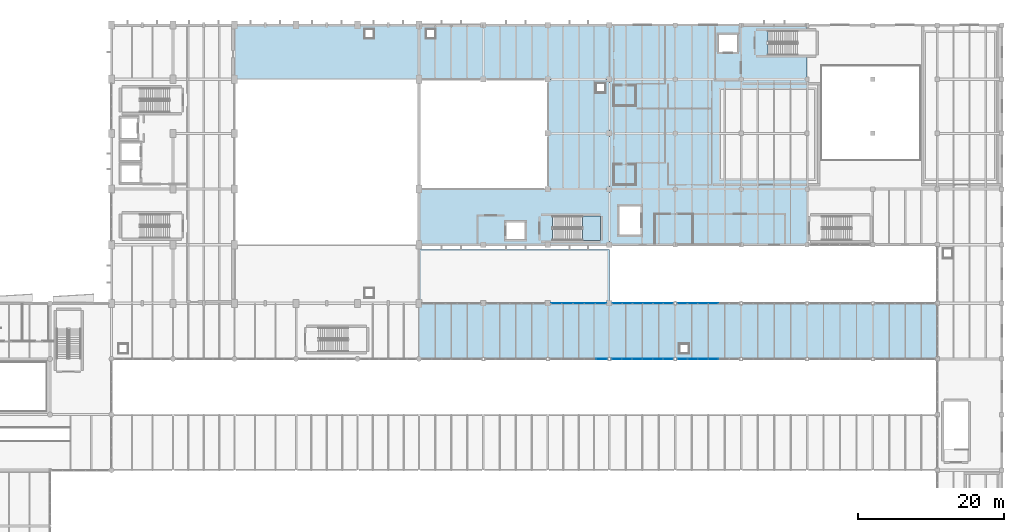
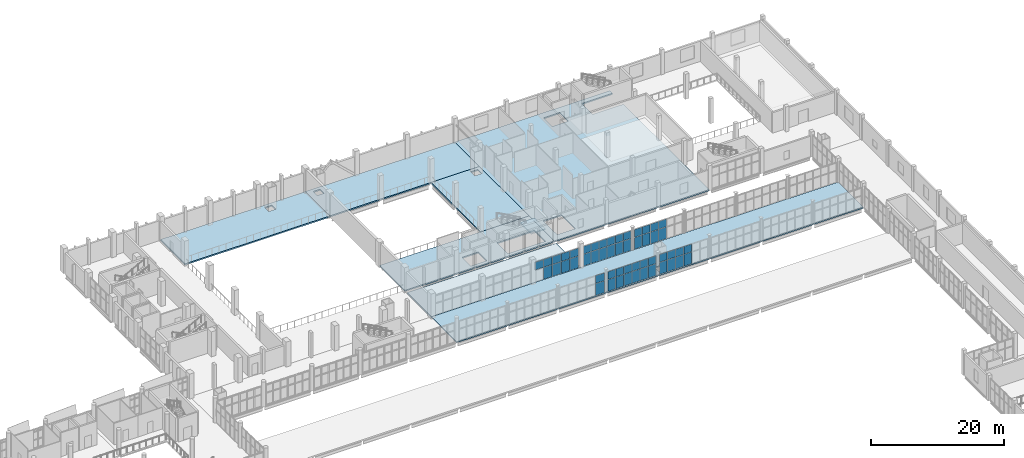
# One storey, part 104 of 136: 51 plates, 8 slabs, 7 elements without a shape of their own.
"""IFC4 building model written with IfcOpenShell, lengths in metres."""

from ifc_helpers import new_model, si_unit, direction, frame, origin, origin_2d, place, context, subcontext, project, spatial, polyline, rectangle, outline, extrude, material, layer, layer_set, type_object, element, aggregate, save


model = new_model("IFC4")

# Units and contexts
model_context = context("Model", 3, precision=1e-05, world=origin(), true_north=direction((0.0, 1.0)))
body_context = subcontext(model_context, "Body", "Model", "MODEL_VIEW")
ifc_project = project(units=[si_unit("LENGTHUNIT", "METRE"), si_unit("AREAUNIT", "SQUARE_METRE"), si_unit("VOLUMEUNIT", "CUBIC_METRE"), si_unit("PLANEANGLEUNIT", "RADIAN"), si_unit("MASSUNIT", "GRAM", prefix="KILO")], contexts=[model_context])

# Site, building, storey
site_placement = place(None, origin())
site = spatial("IfcSite", under=ifc_project, at=site_placement, CompositionType="ELEMENT")
building_placement = place(site_placement, origin())
building = spatial("IfcBuilding", under=site, at=building_placement, Name="Shengluoqiao Park Theatre", CompositionType="ELEMENT")
storey_placement = place(building_placement, frame((0.0, 0.0, 10.0)))
storey = spatial("IfcBuildingStorey", under=building, at=storey_placement, Name="L02", CompositionType="ELEMENT", Elevation=10.0)

# Curtain wall, plates
ifc_material_1 = material(Name="Aluminium 6063-T6", Category="aluminium")
curtain_wall_type = type_object("IfcCurtainWallType", Name="ENV-CW-BRIDGE", PredefinedType="NOTDEFINED", material=ifc_material_1)
curtain_wall_1_placement = place(storey_placement, origin())
curtain_wall_1 = element("IfcCurtainWall", 1, at=curtain_wall_1_placement, inside=storey, type_object=curtain_wall_type, Name="L02 Curtain Wall CWX-L02-0109", PredefinedType="NOTDEFINED")
ifc_material_2 = material(Name="Insulated glass", Category="glass")
ifc_layer_1 = layer(ifc_material_2, 0.0380859375, Name="Insulated glass")
ifc_layer_set_1 = layer_set([ifc_layer_1], Name="Insulated glass")
plate_type = type_object("IfcPlateType", Name="ENV-GLZ-GL-38", PredefinedType="CURTAIN_PANEL", material=ifc_layer_set_1)
plate_1_placement = place(storey_placement, frame((111.338623046875, 68.39990234375, 0.06005859375), z_axis=(0.0, 0.0, 1.0), x_axis=(1.0, 0.0, 0.0)))
plate_1 = element("IfcPlate", 2, at=plate_1_placement, type_object=plate_type, Name="CW-03 panel 5.1", PredefinedType="CURTAIN_PANEL", context=body_context, shape_type="SweptSolid", body=[
    extrude(rectangle(XDim=1.48681640625, YDim=0.0380859375, at=origin_2d()), origin(), (0.0, 0.0, 1.0), 2.160888671875),
])
plate_2_placement = place(storey_placement, frame((111.338623046875, 68.39990234375, 2.28125), z_axis=(0.0, 0.0, 1.0), x_axis=(1.0, 0.0, 0.0)))
plate_2 = element("IfcPlate", 3, at=plate_2_placement, type_object=plate_type, Name="CW-03 panel 5.2", PredefinedType="CURTAIN_PANEL", context=body_context, shape_type="SweptSolid", body=[
    extrude(rectangle(XDim=1.48681640625, YDim=0.0380859375, at=origin_2d()), origin(), (0.0, 0.0, 1.0), 1.410888671875),
])
aggregate(curtain_wall_1, [plate_1, plate_2])

curtain_wall_2_placement = place(storey_placement, origin())
curtain_wall_2 = element("IfcCurtainWall", 4, at=curtain_wall_2_placement, inside=storey, type_object=curtain_wall_type, Name="L02 Curtain Wall CWX-L02-0110", PredefinedType="NOTDEFINED")
plate_3_placement = place(storey_placement, frame((113.3798828125, 68.39990234375, 0.06005859375), z_axis=(0.0, 0.0, 1.0), x_axis=(1.0, 0.0, 0.0)))
plate_3 = element("IfcPlate", 5, at=plate_3_placement, type_object=plate_type, Name="CW-03 panel 1.1", PredefinedType="CURTAIN_PANEL", context=body_context, shape_type="SweptSolid", body=[
    extrude(rectangle(XDim=1.323974609375, YDim=0.0380859375, at=origin_2d()), origin(), (0.0, 0.0, 1.0), 2.160888671875),
])
plate_4_placement = place(storey_placement, frame((113.3798828125, 68.39990234375, 2.28125), z_axis=(0.0, 0.0, 1.0), x_axis=(1.0, 0.0, 0.0)))
plate_4 = element("IfcPlate", 6, at=plate_4_placement, type_object=plate_type, Name="CW-03 panel 1.2", PredefinedType="CURTAIN_PANEL", context=body_context, shape_type="SweptSolid", body=[
    extrude(rectangle(XDim=1.323974609375, YDim=0.0380859375, at=origin_2d()), origin(), (0.0, 0.0, 1.0), 1.410888671875),
])
plate_5_placement = place(storey_placement, frame((114.779052734375, 68.39990234375, 0.06005859375), z_axis=(0.0, 0.0, 1.0), x_axis=(1.0, 0.0, 0.0)))
plate_5 = element("IfcPlate", 7, at=plate_5_placement, type_object=plate_type, Name="CW-03 panel 2.1", PredefinedType="CURTAIN_PANEL", context=body_context, shape_type="SweptSolid", body=[
    extrude(rectangle(XDim=1.35400390625, YDim=0.0380859375, at=origin_2d()), origin(), (0.0, 0.0, 1.0), 2.160888671875),
])
plate_6_placement = place(storey_placement, frame((114.779052734375, 68.39990234375, 2.28125), z_axis=(0.0, 0.0, 1.0), x_axis=(1.0, 0.0, 0.0)))
plate_6 = element("IfcPlate", 8, at=plate_6_placement, type_object=plate_type, Name="CW-03 panel 2.2", PredefinedType="CURTAIN_PANEL", context=body_context, shape_type="SweptSolid", body=[
    extrude(rectangle(XDim=1.35400390625, YDim=0.0380859375, at=origin_2d()), origin(), (0.0, 0.0, 1.0), 1.410888671875),
])
plate_7_placement = place(storey_placement, frame((116.193115234375, 68.39990234375, 0.06005859375), z_axis=(0.0, 0.0, 1.0), x_axis=(1.0, 0.0, 0.0)))
plate_7 = element("IfcPlate", 9, at=plate_7_placement, type_object=plate_type, Name="CW-03 panel 3.1", PredefinedType="CURTAIN_PANEL", context=body_context, shape_type="SweptSolid", body=[
    extrude(rectangle(XDim=1.35400390625, YDim=0.0380859375, at=origin_2d()), origin(), (0.0, 0.0, 1.0), 2.160888671875),
])
plate_8_placement = place(storey_placement, frame((116.193115234375, 68.39990234375, 2.28125), z_axis=(0.0, 0.0, 1.0), x_axis=(1.0, 0.0, 0.0)))
plate_8 = element("IfcPlate", 10, at=plate_8_placement, type_object=plate_type, Name="CW-03 panel 3.2", PredefinedType="CURTAIN_PANEL", context=body_context, shape_type="SweptSolid", body=[
    extrude(rectangle(XDim=1.35400390625, YDim=0.0380859375, at=origin_2d()), origin(), (0.0, 0.0, 1.0), 1.410888671875),
])
plate_9_placement = place(storey_placement, frame((117.60693359375, 68.39990234375, 0.06005859375), z_axis=(0.0, 0.0, 1.0), x_axis=(1.0, 0.0, 0.0)))
plate_9 = element("IfcPlate", 11, at=plate_9_placement, type_object=plate_type, Name="CW-03 panel 4.1", PredefinedType="CURTAIN_PANEL", context=body_context, shape_type="SweptSolid", body=[
    extrude(rectangle(XDim=1.35400390625, YDim=0.0380859375, at=origin_2d()), origin(), (0.0, 0.0, 1.0), 2.160888671875),
])
plate_10_placement = place(storey_placement, frame((117.60693359375, 68.39990234375, 2.28125), z_axis=(0.0, 0.0, 1.0), x_axis=(1.0, 0.0, 0.0)))
plate_10 = element("IfcPlate", 12, at=plate_10_placement, type_object=plate_type, Name="CW-03 panel 4.2", PredefinedType="CURTAIN_PANEL", context=body_context, shape_type="SweptSolid", body=[
    extrude(rectangle(XDim=1.35400390625, YDim=0.0380859375, at=origin_2d()), origin(), (0.0, 0.0, 1.0), 1.410888671875),
])
plate_11_placement = place(storey_placement, frame((119.02099609375, 68.39990234375, 0.06005859375), z_axis=(0.0, 0.0, 1.0), x_axis=(1.0, 0.0, 0.0)))
plate_11 = element("IfcPlate", 13, at=plate_11_placement, type_object=plate_type, Name="CW-03 panel 5.1", PredefinedType="CURTAIN_PANEL", context=body_context, shape_type="SweptSolid", body=[
    extrude(rectangle(XDim=1.35400390625, YDim=0.0380859375, at=origin_2d()), origin(), (0.0, 0.0, 1.0), 2.160888671875),
])
plate_12_placement = place(storey_placement, frame((119.02099609375, 68.39990234375, 2.28125), z_axis=(0.0, 0.0, 1.0), x_axis=(1.0, 0.0, 0.0)))
plate_12 = element("IfcPlate", 14, at=plate_12_placement, type_object=plate_type, Name="CW-03 panel 5.2", PredefinedType="CURTAIN_PANEL", context=body_context, shape_type="SweptSolid", body=[
    extrude(rectangle(XDim=1.35400390625, YDim=0.0380859375, at=origin_2d()), origin(), (0.0, 0.0, 1.0), 1.410888671875),
])
plate_13_placement = place(storey_placement, frame((120.419921875, 68.39990234375, 0.06005859375), z_axis=(0.0, 0.0, 1.0), x_axis=(1.0, 0.0, 0.0)))
plate_13 = element("IfcPlate", 15, at=plate_13_placement, type_object=plate_type, Name="CW-03 panel 6.1", PredefinedType="CURTAIN_PANEL", context=body_context, shape_type="SweptSolid", body=[
    extrude(rectangle(XDim=1.323974609375, YDim=0.0380859375, at=origin_2d()), origin(), (0.0, 0.0, 1.0), 2.160888671875),
])
plate_14_placement = place(storey_placement, frame((120.419921875, 68.39990234375, 2.28125), z_axis=(0.0, 0.0, 1.0), x_axis=(1.0, 0.0, 0.0)))
plate_14 = element("IfcPlate", 16, at=plate_14_placement, type_object=plate_type, Name="CW-03 panel 6.2", PredefinedType="CURTAIN_PANEL", context=body_context, shape_type="SweptSolid", body=[
    extrude(rectangle(XDim=1.323974609375, YDim=0.0380859375, at=origin_2d()), origin(), (0.0, 0.0, 1.0), 1.410888671875),
])
aggregate(curtain_wall_2, [plate_3, plate_4, plate_5, plate_6, plate_7, plate_8, plate_9, plate_10, plate_11, plate_12, plate_13, plate_14])

curtain_wall_3_placement = place(storey_placement, origin())
curtain_wall_3 = element("IfcCurtainWall", 17, at=curtain_wall_3_placement, inside=storey, type_object=curtain_wall_type, Name="L02 Curtain Wall CWX-L02-0111", PredefinedType="NOTDEFINED")
plate_15_placement = place(storey_placement, frame((122.3798828125, 68.39990234375, 0.06005859375), z_axis=(0.0, 0.0, 1.0), x_axis=(1.0, 0.0, 0.0)))
plate_15 = element("IfcPlate", 18, at=plate_15_placement, type_object=plate_type, Name="CW-03 panel 1.1", PredefinedType="CURTAIN_PANEL", context=body_context, shape_type="SweptSolid", body=[
    extrude(rectangle(XDim=1.323974609375, YDim=0.0380859375, at=origin_2d()), origin(), (0.0, 0.0, 1.0), 2.160888671875),
])
plate_16_placement = place(storey_placement, frame((122.3798828125, 68.39990234375, 2.28125), z_axis=(0.0, 0.0, 1.0), x_axis=(1.0, 0.0, 0.0)))
plate_16 = element("IfcPlate", 19, at=plate_16_placement, type_object=plate_type, Name="CW-03 panel 1.2", PredefinedType="CURTAIN_PANEL", context=body_context, shape_type="SweptSolid", body=[
    extrude(rectangle(XDim=1.323974609375, YDim=0.0380859375, at=origin_2d()), origin(), (0.0, 0.0, 1.0), 1.410888671875),
])
plate_17_placement = place(storey_placement, frame((123.779052734375, 68.39990234375, 0.06005859375), z_axis=(0.0, 0.0, 1.0), x_axis=(1.0, 0.0, 0.0)))
plate_17 = element("IfcPlate", 20, at=plate_17_placement, type_object=plate_type, Name="CW-03 panel 2.1", PredefinedType="CURTAIN_PANEL", context=body_context, shape_type="SweptSolid", body=[
    extrude(rectangle(XDim=1.35400390625, YDim=0.0380859375, at=origin_2d()), origin(), (0.0, 0.0, 1.0), 2.160888671875),
])
plate_18_placement = place(storey_placement, frame((123.779052734375, 68.39990234375, 2.28125), z_axis=(0.0, 0.0, 1.0), x_axis=(1.0, 0.0, 0.0)))
plate_18 = element("IfcPlate", 21, at=plate_18_placement, type_object=plate_type, Name="CW-03 panel 2.2", PredefinedType="CURTAIN_PANEL", context=body_context, shape_type="SweptSolid", body=[
    extrude(rectangle(XDim=1.35400390625, YDim=0.0380859375, at=origin_2d()), origin(), (0.0, 0.0, 1.0), 1.410888671875),
])
plate_19_placement = place(storey_placement, frame((125.193115234375, 68.39990234375, 0.06005859375), z_axis=(0.0, 0.0, 1.0), x_axis=(1.0, 0.0, 0.0)))
plate_19 = element("IfcPlate", 22, at=plate_19_placement, type_object=plate_type, Name="CW-03 panel 3.1", PredefinedType="CURTAIN_PANEL", context=body_context, shape_type="SweptSolid", body=[
    extrude(rectangle(XDim=1.35400390625, YDim=0.0380859375, at=origin_2d()), origin(), (0.0, 0.0, 1.0), 2.160888671875),
])
plate_20_placement = place(storey_placement, frame((125.193115234375, 68.39990234375, 2.28125), z_axis=(0.0, 0.0, 1.0), x_axis=(1.0, 0.0, 0.0)))
plate_20 = element("IfcPlate", 23, at=plate_20_placement, type_object=plate_type, Name="CW-03 panel 3.2", PredefinedType="CURTAIN_PANEL", context=body_context, shape_type="SweptSolid", body=[
    extrude(rectangle(XDim=1.35400390625, YDim=0.0380859375, at=origin_2d()), origin(), (0.0, 0.0, 1.0), 1.410888671875),
])
plate_21_placement = place(storey_placement, frame((126.60693359375, 68.39990234375, 0.06005859375), z_axis=(0.0, 0.0, 1.0), x_axis=(1.0, 0.0, 0.0)))
plate_21 = element("IfcPlate", 24, at=plate_21_placement, type_object=plate_type, Name="CW-03 panel 4.1", PredefinedType="CURTAIN_PANEL", context=body_context, shape_type="SweptSolid", body=[
    extrude(rectangle(XDim=1.35400390625, YDim=0.0380859375, at=origin_2d()), origin(), (0.0, 0.0, 1.0), 2.160888671875),
])
plate_22_placement = place(storey_placement, frame((126.60693359375, 68.39990234375, 2.28125), z_axis=(0.0, 0.0, 1.0), x_axis=(1.0, 0.0, 0.0)))
plate_22 = element("IfcPlate", 25, at=plate_22_placement, type_object=plate_type, Name="CW-03 panel 4.2", PredefinedType="CURTAIN_PANEL", context=body_context, shape_type="SweptSolid", body=[
    extrude(rectangle(XDim=1.35400390625, YDim=0.0380859375, at=origin_2d()), origin(), (0.0, 0.0, 1.0), 1.410888671875),
])
aggregate(curtain_wall_3, [plate_15, plate_16, plate_17, plate_18, plate_19, plate_20, plate_21, plate_22])

curtain_wall_4_placement = place(storey_placement, origin())
curtain_wall_4 = element("IfcCurtainWall", 26, at=curtain_wall_4_placement, inside=storey, type_object=curtain_wall_type, Name="L02 Curtain Wall CWX-L02-0117", PredefinedType="NOTDEFINED")
plate_23_placement = place(storey_placement, frame((105.158203125, 76.0, 2.28125), z_axis=(0.0, 0.0, 1.0), x_axis=(1.0, 0.0, 0.0)))
plate_23 = element("IfcPlate", 27, at=plate_23_placement, type_object=plate_type, Name="CW-03 panel 1.2", PredefinedType="CURTAIN_PANEL", context=body_context, shape_type="SweptSolid", body=[
    extrude(rectangle(XDim=1.4384765625, YDim=0.0380859375, at=origin_2d()), origin(), (0.0, 0.0, 1.0), 1.410888671875),
])
plate_24_placement = place(storey_placement, frame((106.671630859375, 76.0, 0.06005859375), z_axis=(0.0, 0.0, 1.0), x_axis=(1.0, 0.0, 0.0)))
plate_24 = element("IfcPlate", 28, at=plate_24_placement, type_object=plate_type, Name="CW-03 panel 2.1", PredefinedType="CURTAIN_PANEL", context=body_context, shape_type="SweptSolid", body=[
    extrude(rectangle(XDim=1.468505859375, YDim=0.0380859375, at=origin_2d()), origin(), (0.0, 0.0, 1.0), 2.160888671875),
])
plate_25_placement = place(storey_placement, frame((106.671630859375, 76.0, 2.28125), z_axis=(0.0, 0.0, 1.0), x_axis=(1.0, 0.0, 0.0)))
plate_25 = element("IfcPlate", 29, at=plate_25_placement, type_object=plate_type, Name="CW-03 panel 2.2", PredefinedType="CURTAIN_PANEL", context=body_context, shape_type="SweptSolid", body=[
    extrude(rectangle(XDim=1.468505859375, YDim=0.0380859375, at=origin_2d()), origin(), (0.0, 0.0, 1.0), 1.410888671875),
])
plate_26_placement = place(storey_placement, frame((108.199951171875, 76.0, 0.06005859375), z_axis=(0.0, 0.0, 1.0), x_axis=(1.0, 0.0, 0.0)))
plate_26 = element("IfcPlate", 30, at=plate_26_placement, type_object=plate_type, Name="CW-03 panel 3.1", PredefinedType="CURTAIN_PANEL", context=body_context, shape_type="SweptSolid", body=[
    extrude(rectangle(XDim=1.468505859375, YDim=0.0380859375, at=origin_2d()), origin(), (0.0, 0.0, 1.0), 2.160888671875),
])
plate_27_placement = place(storey_placement, frame((108.199951171875, 76.0, 2.28125), z_axis=(0.0, 0.0, 1.0), x_axis=(1.0, 0.0, 0.0)))
plate_27 = element("IfcPlate", 31, at=plate_27_placement, type_object=plate_type, Name="CW-03 panel 3.2", PredefinedType="CURTAIN_PANEL", context=body_context, shape_type="SweptSolid", body=[
    extrude(rectangle(XDim=1.468505859375, YDim=0.0380859375, at=origin_2d()), origin(), (0.0, 0.0, 1.0), 1.410888671875),
])
plate_28_placement = place(storey_placement, frame((109.728515625, 76.0, 0.06005859375), z_axis=(0.0, 0.0, 1.0), x_axis=(1.0, 0.0, 0.0)))
plate_28 = element("IfcPlate", 32, at=plate_28_placement, type_object=plate_type, Name="CW-03 panel 4.1", PredefinedType="CURTAIN_PANEL", context=body_context, shape_type="SweptSolid", body=[
    extrude(rectangle(XDim=1.468505859375, YDim=0.0380859375, at=origin_2d()), origin(), (0.0, 0.0, 1.0), 2.160888671875),
])
plate_29_placement = place(storey_placement, frame((109.728515625, 76.0, 2.28125), z_axis=(0.0, 0.0, 1.0), x_axis=(1.0, 0.0, 0.0)))
plate_29 = element("IfcPlate", 33, at=plate_29_placement, type_object=plate_type, Name="CW-03 panel 4.2", PredefinedType="CURTAIN_PANEL", context=body_context, shape_type="SweptSolid", body=[
    extrude(rectangle(XDim=1.468505859375, YDim=0.0380859375, at=origin_2d()), origin(), (0.0, 0.0, 1.0), 1.410888671875),
])
plate_30_placement = place(storey_placement, frame((111.24169921875, 76.0, 0.06005859375), z_axis=(0.0, 0.0, 1.0), x_axis=(1.0, 0.0, 0.0)))
plate_30 = element("IfcPlate", 34, at=plate_30_placement, type_object=plate_type, Name="CW-03 panel 5.1", PredefinedType="CURTAIN_PANEL", context=body_context, shape_type="SweptSolid", body=[
    extrude(rectangle(XDim=1.4384765625, YDim=0.0380859375, at=origin_2d()), origin(), (0.0, 0.0, 1.0), 2.160888671875),
])
plate_31_placement = place(storey_placement, frame((111.24169921875, 76.0, 2.28125), z_axis=(0.0, 0.0, 1.0), x_axis=(1.0, 0.0, 0.0)))
plate_31 = element("IfcPlate", 35, at=plate_31_placement, type_object=plate_type, Name="CW-03 panel 5.2", PredefinedType="CURTAIN_PANEL", context=body_context, shape_type="SweptSolid", body=[
    extrude(rectangle(XDim=1.4384765625, YDim=0.0380859375, at=origin_2d()), origin(), (0.0, 0.0, 1.0), 1.410888671875),
])
aggregate(curtain_wall_4, [plate_23, plate_24, plate_25, plate_26, plate_27, plate_28, plate_29, plate_30, plate_31])

curtain_wall_5_placement = place(storey_placement, origin())
curtain_wall_5 = element("IfcCurtainWall", 36, at=curtain_wall_5_placement, inside=storey, type_object=curtain_wall_type, Name="L02 Curtain Wall CWX-L02-0118", PredefinedType="NOTDEFINED")
plate_32_placement = place(storey_placement, frame((113.490966796875, 76.0, 0.06005859375), z_axis=(0.0, 0.0, 1.0), x_axis=(1.0, 0.0, 0.0)))
plate_32 = element("IfcPlate", 37, at=plate_32_placement, type_object=plate_type, Name="CW-03 panel 1.1", PredefinedType="CURTAIN_PANEL", context=body_context, shape_type="SweptSolid", body=[
    extrude(rectangle(XDim=1.303955078125, YDim=0.0380859375, at=origin_2d()), origin(), (0.0, 0.0, 1.0), 2.160888671875),
])
plate_33_placement = place(storey_placement, frame((113.490966796875, 76.0, 2.28125), z_axis=(0.0, 0.0, 1.0), x_axis=(1.0, 0.0, 0.0)))
plate_33 = element("IfcPlate", 38, at=plate_33_placement, type_object=plate_type, Name="CW-03 panel 1.2", PredefinedType="CURTAIN_PANEL", context=body_context, shape_type="SweptSolid", body=[
    extrude(rectangle(XDim=1.303955078125, YDim=0.0380859375, at=origin_2d()), origin(), (0.0, 0.0, 1.0), 1.410888671875),
])
plate_34_placement = place(storey_placement, frame((114.86962890625, 76.0, 0.06005859375), z_axis=(0.0, 0.0, 1.0), x_axis=(1.0, 0.0, 0.0)))
plate_34 = element("IfcPlate", 39, at=plate_34_placement, type_object=plate_type, Name="CW-03 panel 2.1", PredefinedType="CURTAIN_PANEL", context=body_context, shape_type="SweptSolid", body=[
    extrude(rectangle(XDim=1.333740234375, YDim=0.0380859375, at=origin_2d()), origin(), (0.0, 0.0, 1.0), 2.160888671875),
])
plate_35_placement = place(storey_placement, frame((114.86962890625, 76.0, 2.28125), z_axis=(0.0, 0.0, 1.0), x_axis=(1.0, 0.0, 0.0)))
plate_35 = element("IfcPlate", 40, at=plate_35_placement, type_object=plate_type, Name="CW-03 panel 2.2", PredefinedType="CURTAIN_PANEL", context=body_context, shape_type="SweptSolid", body=[
    extrude(rectangle(XDim=1.333740234375, YDim=0.0380859375, at=origin_2d()), origin(), (0.0, 0.0, 1.0), 1.410888671875),
])
plate_36_placement = place(storey_placement, frame((116.263671875, 76.0, 0.06005859375), z_axis=(0.0, 0.0, 1.0), x_axis=(1.0, 0.0, 0.0)))
plate_36 = element("IfcPlate", 41, at=plate_36_placement, type_object=plate_type, Name="CW-03 panel 3.1", PredefinedType="CURTAIN_PANEL", context=body_context, shape_type="SweptSolid", body=[
    extrude(rectangle(XDim=1.333740234375, YDim=0.0380859375, at=origin_2d()), origin(), (0.0, 0.0, 1.0), 2.160888671875),
])
plate_37_placement = place(storey_placement, frame((116.263671875, 76.0, 2.28125), z_axis=(0.0, 0.0, 1.0), x_axis=(1.0, 0.0, 0.0)))
plate_37 = element("IfcPlate", 42, at=plate_37_placement, type_object=plate_type, Name="CW-03 panel 3.2", PredefinedType="CURTAIN_PANEL", context=body_context, shape_type="SweptSolid", body=[
    extrude(rectangle(XDim=1.333740234375, YDim=0.0380859375, at=origin_2d()), origin(), (0.0, 0.0, 1.0), 1.410888671875),
])
plate_38_placement = place(storey_placement, frame((117.657470703125, 76.0, 0.06005859375), z_axis=(0.0, 0.0, 1.0), x_axis=(1.0, 0.0, 0.0)))
plate_38 = element("IfcPlate", 43, at=plate_38_placement, type_object=plate_type, Name="CW-03 panel 4.1", PredefinedType="CURTAIN_PANEL", context=body_context, shape_type="SweptSolid", body=[
    extrude(rectangle(XDim=1.333740234375, YDim=0.0380859375, at=origin_2d()), origin(), (0.0, 0.0, 1.0), 2.160888671875),
])
plate_39_placement = place(storey_placement, frame((117.657470703125, 76.0, 2.28125), z_axis=(0.0, 0.0, 1.0), x_axis=(1.0, 0.0, 0.0)))
plate_39 = element("IfcPlate", 44, at=plate_39_placement, type_object=plate_type, Name="CW-03 panel 4.2", PredefinedType="CURTAIN_PANEL", context=body_context, shape_type="SweptSolid", body=[
    extrude(rectangle(XDim=1.333740234375, YDim=0.0380859375, at=origin_2d()), origin(), (0.0, 0.0, 1.0), 1.410888671875),
])
plate_40_placement = place(storey_placement, frame((119.05126953125, 76.0, 0.06005859375), z_axis=(0.0, 0.0, 1.0), x_axis=(1.0, 0.0, 0.0)))
plate_40 = element("IfcPlate", 45, at=plate_40_placement, type_object=plate_type, Name="CW-03 panel 5.1", PredefinedType="CURTAIN_PANEL", context=body_context, shape_type="SweptSolid", body=[
    extrude(rectangle(XDim=1.333740234375, YDim=0.0380859375, at=origin_2d()), origin(), (0.0, 0.0, 1.0), 2.160888671875),
])
plate_41_placement = place(storey_placement, frame((119.05126953125, 76.0, 2.28125), z_axis=(0.0, 0.0, 1.0), x_axis=(1.0, 0.0, 0.0)))
plate_41 = element("IfcPlate", 46, at=plate_41_placement, type_object=plate_type, Name="CW-03 panel 5.2", PredefinedType="CURTAIN_PANEL", context=body_context, shape_type="SweptSolid", body=[
    extrude(rectangle(XDim=1.333740234375, YDim=0.0380859375, at=origin_2d()), origin(), (0.0, 0.0, 1.0), 1.410888671875),
])
plate_42_placement = place(storey_placement, frame((120.43017578125, 76.0, 0.06005859375), z_axis=(0.0, 0.0, 1.0), x_axis=(1.0, 0.0, 0.0)))
plate_42 = element("IfcPlate", 47, at=plate_42_placement, type_object=plate_type, Name="CW-03 panel 6.1", PredefinedType="CURTAIN_PANEL", context=body_context, shape_type="SweptSolid", body=[
    extrude(rectangle(XDim=1.303955078125, YDim=0.0380859375, at=origin_2d()), origin(), (0.0, 0.0, 1.0), 2.160888671875),
])
plate_43_placement = place(storey_placement, frame((120.43017578125, 76.0, 2.28125), z_axis=(0.0, 0.0, 1.0), x_axis=(1.0, 0.0, 0.0)))
plate_43 = element("IfcPlate", 48, at=plate_43_placement, type_object=plate_type, Name="CW-03 panel 6.2", PredefinedType="CURTAIN_PANEL", context=body_context, shape_type="SweptSolid", body=[
    extrude(rectangle(XDim=1.303955078125, YDim=0.0380859375, at=origin_2d()), origin(), (0.0, 0.0, 1.0), 1.410888671875),
])
aggregate(curtain_wall_5, [plate_32, plate_33, plate_34, plate_35, plate_36, plate_37, plate_38, plate_39, plate_40, plate_41, plate_42, plate_43])

curtain_wall_6_placement = place(storey_placement, origin())
curtain_wall_6 = element("IfcCurtainWall", 49, at=curtain_wall_6_placement, inside=storey, type_object=curtain_wall_type, Name="L02 Curtain Wall CWX-L02-0119", PredefinedType="NOTDEFINED")
plate_44_placement = place(storey_placement, frame((122.3798828125, 76.0, 0.06005859375), z_axis=(0.0, 0.0, 1.0), x_axis=(1.0, 0.0, 0.0)))
plate_44 = element("IfcPlate", 50, at=plate_44_placement, type_object=plate_type, Name="CW-03 panel 1.1", PredefinedType="CURTAIN_PANEL", context=body_context, shape_type="SweptSolid", body=[
    extrude(rectangle(XDim=1.323974609375, YDim=0.0380859375, at=origin_2d()), origin(), (0.0, 0.0, 1.0), 2.160888671875),
])
plate_45_placement = place(storey_placement, frame((122.3798828125, 76.0, 2.28125), z_axis=(0.0, 0.0, 1.0), x_axis=(1.0, 0.0, 0.0)))
plate_45 = element("IfcPlate", 51, at=plate_45_placement, type_object=plate_type, Name="CW-03 panel 1.2", PredefinedType="CURTAIN_PANEL", context=body_context, shape_type="SweptSolid", body=[
    extrude(rectangle(XDim=1.323974609375, YDim=0.0380859375, at=origin_2d()), origin(), (0.0, 0.0, 1.0), 1.410888671875),
])
plate_46_placement = place(storey_placement, frame((123.779052734375, 76.0, 0.06005859375), z_axis=(0.0, 0.0, 1.0), x_axis=(1.0, 0.0, 0.0)))
plate_46 = element("IfcPlate", 52, at=plate_46_placement, type_object=plate_type, Name="CW-03 panel 2.1", PredefinedType="CURTAIN_PANEL", context=body_context, shape_type="SweptSolid", body=[
    extrude(rectangle(XDim=1.35400390625, YDim=0.0380859375, at=origin_2d()), origin(), (0.0, 0.0, 1.0), 2.160888671875),
])
plate_47_placement = place(storey_placement, frame((123.779052734375, 76.0, 2.28125), z_axis=(0.0, 0.0, 1.0), x_axis=(1.0, 0.0, 0.0)))
plate_47 = element("IfcPlate", 53, at=plate_47_placement, type_object=plate_type, Name="CW-03 panel 2.2", PredefinedType="CURTAIN_PANEL", context=body_context, shape_type="SweptSolid", body=[
    extrude(rectangle(XDim=1.35400390625, YDim=0.0380859375, at=origin_2d()), origin(), (0.0, 0.0, 1.0), 1.410888671875),
])
plate_48_placement = place(storey_placement, frame((125.193115234375, 76.0, 0.06005859375), z_axis=(0.0, 0.0, 1.0), x_axis=(1.0, 0.0, 0.0)))
plate_48 = element("IfcPlate", 54, at=plate_48_placement, type_object=plate_type, Name="CW-03 panel 3.1", PredefinedType="CURTAIN_PANEL", context=body_context, shape_type="SweptSolid", body=[
    extrude(rectangle(XDim=1.35400390625, YDim=0.0380859375, at=origin_2d()), origin(), (0.0, 0.0, 1.0), 2.160888671875),
])
plate_49_placement = place(storey_placement, frame((125.193115234375, 76.0, 2.28125), z_axis=(0.0, 0.0, 1.0), x_axis=(1.0, 0.0, 0.0)))
plate_49 = element("IfcPlate", 55, at=plate_49_placement, type_object=plate_type, Name="CW-03 panel 3.2", PredefinedType="CURTAIN_PANEL", context=body_context, shape_type="SweptSolid", body=[
    extrude(rectangle(XDim=1.35400390625, YDim=0.0380859375, at=origin_2d()), origin(), (0.0, 0.0, 1.0), 1.410888671875),
])
plate_50_placement = place(storey_placement, frame((126.60693359375, 76.0, 0.06005859375), z_axis=(0.0, 0.0, 1.0), x_axis=(1.0, 0.0, 0.0)))
plate_50 = element("IfcPlate", 56, at=plate_50_placement, type_object=plate_type, Name="CW-03 panel 4.1", PredefinedType="CURTAIN_PANEL", context=body_context, shape_type="SweptSolid", body=[
    extrude(rectangle(XDim=1.35400390625, YDim=0.0380859375, at=origin_2d()), origin(), (0.0, 0.0, 1.0), 2.160888671875),
])
plate_51_placement = place(storey_placement, frame((126.60693359375, 76.0, 2.28125), z_axis=(0.0, 0.0, 1.0), x_axis=(1.0, 0.0, 0.0)))
plate_51 = element("IfcPlate", 57, at=plate_51_placement, type_object=plate_type, Name="CW-03 panel 4.2", PredefinedType="CURTAIN_PANEL", context=body_context, shape_type="SweptSolid", body=[
    extrude(rectangle(XDim=1.35400390625, YDim=0.0380859375, at=origin_2d()), origin(), (0.0, 0.0, 1.0), 1.410888671875),
])
aggregate(curtain_wall_6, [plate_44, plate_45, plate_46, plate_47, plate_48, plate_49, plate_50, plate_51])

# Stair, slab
ifc_material_3 = material(Name="Concrete C40", Category="concrete")
stair_type = type_object("IfcStairType", Name="INT-STR-CORE", PredefinedType="HALF_TURN_STAIR", material=ifc_material_3)
stair_placement = place(storey_placement, origin())
stair = element("IfcStair", 58, at=stair_placement, inside=storey, type_object=stair_type, Name="L02 Stage and Fly Tower Escape Stair 05", PredefinedType="HALF_TURN_STAIR")
ifc_layer_2 = layer(ifc_material_3, 0.199951171875, Name="Concrete C40")
ifc_layer_set_2 = layer_set([ifc_layer_2], Name="Concrete C40")
slab_type_1 = type_object("IfcSlabType", Name="INT-LND-SL-200", PredefinedType="LANDING", material=ifc_layer_set_2)
slab_1_placement = place(storey_placement, frame((0.0, 0.0, 2.10009765625)))
slab_1 = element("IfcSlab", 59, at=slab_1_placement, type_object=slab_type_1, Name="ST-05 landing 1", PredefinedType="LANDING", context=body_context, shape_type="SweptSolid", body=[
    extrude(outline(polyline([(108.7099609375, 84.60009765625), (111.199951171875, 84.60009765625), (111.199951171875, 87.89990234375), (108.7099609375, 87.89990234375), (108.7099609375, 84.60009765625)])), origin(), (0.0, 0.0, 1.0), 0.199951171875),
])
aggregate(stair, [slab_1])

# Slabs
ifc_material_4 = material(Name="Concrete C35", Category="concrete")
ifc_layer_3 = layer(ifc_material_4, 0.2099609375, Name="Concrete C35")
ifc_layer_set_3 = layer_set([ifc_layer_3], Name="Concrete C35")
slab_type_2 = type_object("IfcSlabType", Name="STR-SLB-BRG210", PredefinedType="FLOOR", material=ifc_layer_set_3)
slab_2_placement = place(storey_placement, frame((0.0, 0.0, -0.2099609375)))
element("IfcSlab", 60, at=slab_2_placement, inside=storey, type_object=slab_type_2, Name="Park-Court Link Bridge Slab", PredefinedType="FLOOR", context=body_context, shape_type="SweptSolid", body=[
    extrude(outline(polyline([(86.39990234375, 68.39990234375), (86.39990234375, 76.0), (157.199951171875, 76.0), (157.199951171875, 68.39990234375), (86.39990234375, 68.39990234375)]), holes=[polyline([(123.219970703125, 69.199951171875), (123.219970703125, 70.419921875), (122.0, 70.419921875), (122.0, 69.199951171875), (123.219970703125, 69.199951171875)])]), origin(), (0.0, 0.0, 1.0), 0.2099609375),
])
ifc_layer_4 = layer(ifc_material_4, 0.25, Name="Concrete C35")
ifc_layer_set_4 = layer_set([ifc_layer_4], Name="Concrete C35")
slab_type_3 = type_object("IfcSlabType", Name="STR-SLB-CAT250", PredefinedType="FLOOR", material=ifc_layer_set_4)
slab_3_placement = place(storey_placement, frame((0.0, 0.0, -0.25)))
element("IfcSlab", 61, at=slab_3_placement, inside=storey, type_object=slab_type_3, Name="Floor Slab L02-V1-BOXN", PredefinedType="FLOOR", context=body_context, shape_type="SweptSolid", body=[
    extrude(outline(polyline([(61.199951171875, 106.60009765625), (61.199951171875, 114.0), (86.39990234375, 114.0), (86.39990234375, 106.60009765625), (61.199951171875, 106.60009765625)]), holes=[polyline([(79.0, 112.199951171875), (80.219970703125, 112.199951171875), (80.219970703125, 113.419921875), (79.0, 113.419921875), (79.0, 112.199951171875)])]), origin(), (0.0, 0.0, 1.0), 0.25),
])
ifc_layer_5 = layer(ifc_material_4, 0.239990234375, Name="Concrete C35")
ifc_layer_set_5 = layer_set([ifc_layer_5], Name="Concrete C35")
slab_type_4 = type_object("IfcSlabType", Name="STR-SLB-FL240", PredefinedType="FLOOR", material=ifc_layer_set_5)
slab_4_placement = place(storey_placement, frame((0.0, 0.0, -0.239990234375)))
element("IfcSlab", 62, at=slab_4_placement, inside=storey, type_object=slab_type_4, Name="Floor Slab L02-V2-FLYS", PredefinedType="FLOOR", context=body_context, shape_type="SweptSolid", body=[
    extrude(outline(polyline([(86.39990234375, 84.0), (86.39990234375, 91.60009765625), (112.39990234375, 91.60009765625), (112.39990234375, 84.0), (86.39990234375, 84.0)]), holes=[polyline([(98.199951171875, 84.60009765625), (101.0, 84.60009765625), (101.0, 87.199951171875), (98.199951171875, 87.199951171875), (98.199951171875, 84.60009765625)]), polyline([(104.654052734375, 84.60009765625), (111.199951171875, 84.60009765625), (111.199951171875, 87.89990234375), (104.654052734375, 87.89990234375), (104.654052734375, 84.60009765625)])]), origin(), (0.0, 0.0, 1.0), 0.239990234375),
])
slab_5_placement = place(storey_placement, frame((0.0, 0.0, -0.239990234375)))
element("IfcSlab", 63, at=slab_5_placement, inside=storey, type_object=slab_type_4, Name="Floor Slab L02-V2-FLYN", PredefinedType="FLOOR", context=body_context, shape_type="SweptSolid", body=[
    extrude(outline(polyline([(86.39990234375, 106.60009765625), (86.39990234375, 114.0), (112.39990234375, 114.0), (112.39990234375, 106.60009765625), (86.39990234375, 106.60009765625)]), holes=[polyline([(87.39990234375, 112.199951171875), (88.6201171875, 112.199951171875), (88.6201171875, 113.419921875), (87.39990234375, 113.419921875), (87.39990234375, 112.199951171875)])]), origin(), (0.0, 0.0, 1.0), 0.239990234375),
])
slab_6_placement = place(storey_placement, frame((0.0, 0.0, -0.239990234375)))
element("IfcSlab", 64, at=slab_6_placement, inside=storey, type_object=slab_type_4, Name="Floor Slab L02-V2-FLYE", PredefinedType="FLOOR", context=body_context, shape_type="SweptSolid", body=[
    extrude(outline(polyline([(104.0, 91.60009765625), (104.0, 106.60009765625), (112.39990234375, 106.60009765625), (112.39990234375, 91.60009765625), (104.0, 91.60009765625)]), holes=[polyline([(111.820068359375, 104.800048828125), (111.820068359375, 106.02001953125), (110.60009765625, 106.02001953125), (110.60009765625, 104.800048828125), (111.820068359375, 104.800048828125)])]), origin(), (0.0, 0.0, 1.0), 0.239990234375),
])
slab_7_placement = place(storey_placement, frame((0.0, 0.0, -0.239990234375)))
element("IfcSlab", 65, at=slab_7_placement, inside=storey, type_object=slab_type_4, Name="Floor Slab L02-V6-NE1", PredefinedType="FLOOR", context=body_context, shape_type="SweptSolid", body=[
    extrude(outline(polyline([(139.39990234375, 84.0), (112.39990234375, 84.0), (112.39990234375, 114.0), (139.39990234375, 114.0), (139.39990234375, 113.199951171875), (134.053955078125, 113.199951171875), (134.053955078125, 109.89990234375), (139.39990234375, 109.89990234375), (139.39990234375, 84.0)]), holes=[polyline([(116.800048828125, 85.199951171875), (116.800048828125, 89.39990234375), (113.60009765625, 89.39990234375), (113.60009765625, 85.199951171875), (116.800048828125, 85.199951171875)]), polyline([(130.0, 110.199951171875), (130.0, 112.800048828125), (127.199951171875, 112.800048828125), (127.199951171875, 110.199951171875), (130.0, 110.199951171875)])]), origin(), (0.0, 0.0, 1.0), 0.239990234375),
])
ifc_layer_6 = layer(ifc_material_3, 0.25, Name="Concrete C40")
ifc_layer_set_6 = layer_set([ifc_layer_6], Name="Concrete C40")
slab_type_5 = type_object("IfcSlabType", Name="STR-SLB-RF250", PredefinedType="ROOF", material=ifc_layer_set_6)
slab_8_placement = place(storey_placement, frame((0.0, 0.0, -0.25)))
element("IfcSlab", 66, at=slab_8_placement, inside=storey, type_object=slab_type_5, Name="Side Stage Flat Roof Slab", PredefinedType="ROOF", context=body_context, shape_type="SweptSolid", body=[
    extrude(outline(polyline([(86.39990234375, 76.0), (112.39990234375, 76.0), (112.39990234375, 83.35009765625), (86.39990234375, 83.35009765625), (86.39990234375, 76.0)])), origin(), (0.0, 0.0, 1.0), 0.25),
])

save(model, "model.ifc")
